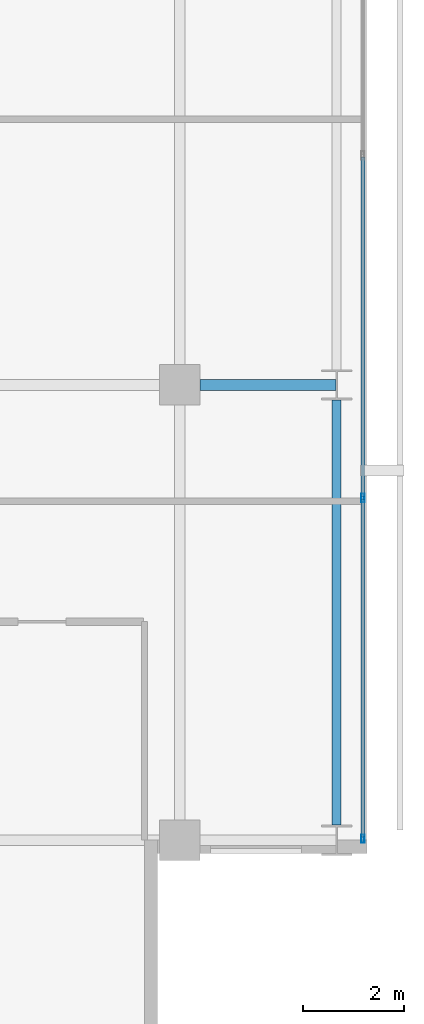
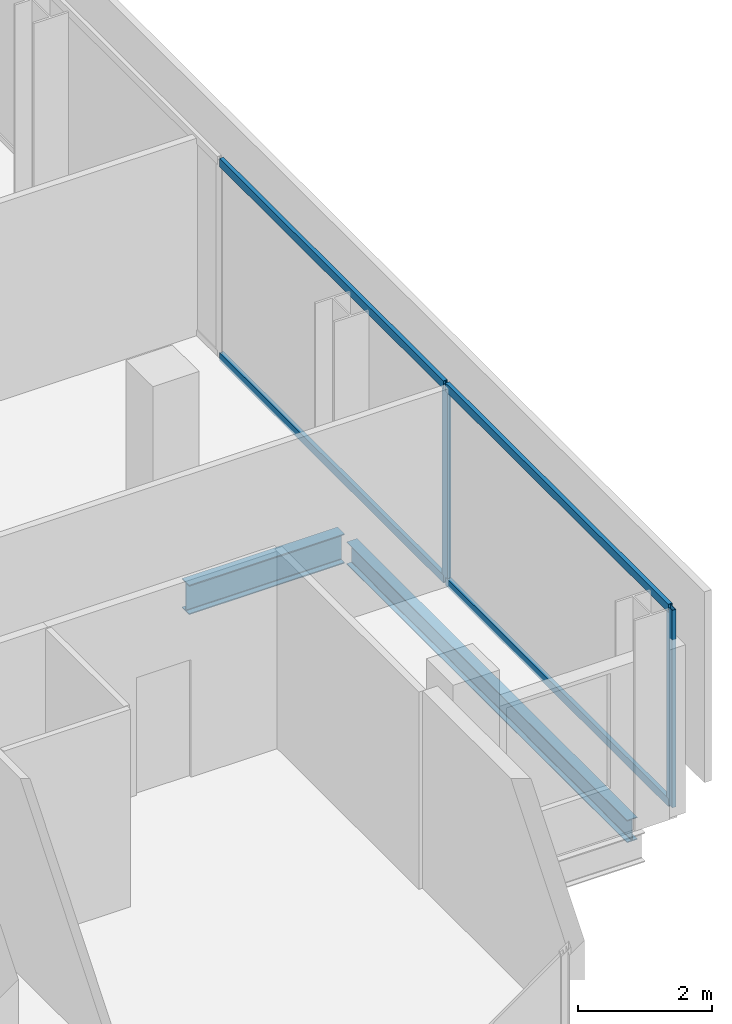
# One storey, part 15 of 33: 6 members, 2 beams, 1 element without a shape of its own.
"""IFC4 building model written with IfcOpenShell, lengths in metres."""

from ifc_helpers import new_model, si_unit, direction, frame, origin, origin_2d, place, context, subcontext, project, spatial, hollow_rectangle, i_section, extrude, material, layer, layer_set, material_profile, profile_set, type_object, element, aggregate, save


model = new_model("IFC4")

# Units and contexts
model_context = context("Model", 3, precision=1e-05, world=origin(), true_north=direction((0.0, 1.0)))
body_context = subcontext(model_context, "Body", "Model", "MODEL_VIEW")
ifc_project = project(units=[si_unit("LENGTHUNIT", "METRE"), si_unit("AREAUNIT", "SQUARE_METRE"), si_unit("VOLUMEUNIT", "CUBIC_METRE"), si_unit("PLANEANGLEUNIT", "RADIAN"), si_unit("MASSUNIT", "GRAM", prefix="KILO")], contexts=[model_context])

# Site, building, storey
site_placement = place(None, origin())
site = spatial("IfcSite", under=ifc_project, at=site_placement, CompositionType="ELEMENT")
building_placement = place(site_placement, origin())
building = spatial("IfcBuilding", under=site, at=building_placement, Name="Maruvema Waterfront Hotel and Observation Tower", CompositionType="ELEMENT")
storey_placement = place(building_placement, frame((0.0, 0.0, 204.39990234375)))
storey = spatial("IfcBuildingStorey", under=building, at=storey_placement, Name="L50", CompositionType="ELEMENT", Elevation=204.39990234375)

# Curtain wall, members
ifc_material_1 = material(Name="Anodised bronze aluminium and solar-control low-E IGU", Category="aluminium")
ifc_layer = layer(ifc_material_1, 0.159912109375, Name="Zone 2 Amber Inner Thermal Curtain Wall System CW-03")
ifc_layer_set = layer_set([ifc_layer], Name="Anodised bronze aluminium and solar-control low-E IGU")
curtain_wall_type = type_object("IfcCurtainWallType", Name="Zone 2 Amber Inner Thermal Curtain Wall System CW-03", PredefinedType="USERDEFINED", material=ifc_layer_set)
curtain_wall_placement = place(storey_placement, origin())
curtain_wall = element("IfcCurtainWall", 1, at=curtain_wall_placement, inside=storey, type_object=curtain_wall_type, Name="L50 Curtain Wall CW-L50-E", ObjectType="UNITISED CURTAIN WALL", PredefinedType="USERDEFINED")
ifc_material_2 = material(Name="Anodised architectural bronze aluminium", Category="aluminium")
ifc_material_profile_1 = material_profile(ifc_material_2, hollow_rectangle(XDim=0.070068359375, YDim=0.14990234375, WallThickness=0.00390625, at=origin_2d()), Name="ALU-T70x150")
ifc_profile_set_1 = profile_set([ifc_material_profile_1], Name="Anodised architectural bronze aluminium")
member_type_1 = type_object("IfcMemberType", Name="Curtain Wall Horizontal Transom ALU-T70x150", PredefinedType="USERDEFINED", material=ifc_profile_set_1)
member_1_placement = place(storey_placement, frame((62.419921875, 9.06005859375, 0.030029296875), z_axis=(0.0, 1.0, 0.0), x_axis=(-1.0, 0.0, 0.0)))
member_1 = element("IfcMember", 2, at=member_1_placement, type_object=member_type_1, Name="CW-03 transom 1.1", ObjectType="TRANSOM", PredefinedType="USERDEFINED", context=body_context, shape_type="SweptSolid", body=[
    extrude(hollow_rectangle(XDim=0.070068359375, YDim=0.14990234375, WallThickness=0.00390625, at=origin_2d()), origin(), (0.0, 0.0, 1.0), 6.676513671875),
])
member_2_placement = place(storey_placement, frame((62.419921875, 9.06005859375, 3.580078125), z_axis=(0.0, 1.0, 0.0), x_axis=(-1.0, 0.0, 0.0)))
member_2 = element("IfcMember", 3, at=member_2_placement, type_object=member_type_1, Name="CW-03 transom 1.2", ObjectType="TRANSOM", PredefinedType="USERDEFINED", context=body_context, shape_type="SweptSolid", body=[
    extrude(hollow_rectangle(XDim=0.070068359375, YDim=0.14990234375, WallThickness=0.00390625, at=origin_2d()), origin(), (0.0, 0.0, 1.0), 6.676513671875),
])
member_3_placement = place(storey_placement, frame((62.419921875, 15.796630859375, 0.030029296875), z_axis=(0.0, 1.0, 0.0), x_axis=(-1.0, 0.0, 0.0)))
member_3 = element("IfcMember", 4, at=member_3_placement, type_object=member_type_1, Name="CW-03 transom 2.1", ObjectType="TRANSOM", PredefinedType="USERDEFINED", context=body_context, shape_type="SweptSolid", body=[
    extrude(hollow_rectangle(XDim=0.070068359375, YDim=0.14990234375, WallThickness=0.00390625, at=origin_2d()), origin(), (0.0, 0.0, 1.0), 6.706787109375),
])
member_4_placement = place(storey_placement, frame((62.419921875, 15.796630859375, 3.580078125), z_axis=(0.0, 1.0, 0.0), x_axis=(-1.0, 0.0, 0.0)))
member_4 = element("IfcMember", 5, at=member_4_placement, type_object=member_type_1, Name="CW-03 transom 2.2", ObjectType="TRANSOM", PredefinedType="USERDEFINED", context=body_context, shape_type="SweptSolid", body=[
    extrude(hollow_rectangle(XDim=0.070068359375, YDim=0.14990234375, WallThickness=0.00390625, at=origin_2d()), origin(), (0.0, 0.0, 1.0), 6.706787109375),
])
ifc_material_3 = material(Name="Anodised architectural bronze aluminium", Category="aluminium")
ifc_material_profile_2 = material_profile(ifc_material_3, hollow_rectangle(XDim=0.06494140625, YDim=0.1650390625, WallThickness=0.00390625, at=origin_2d()), Name="ALU-M65x165")
ifc_profile_set_2 = profile_set([ifc_material_profile_2], Name="Anodised architectural bronze aluminium")
member_type_2 = type_object("IfcMemberType", Name="Curtain Wall Primary Mullion ALU-M65x165", PredefinedType="MULLION", material=ifc_profile_set_2)
member_5_placement = place(storey_placement, frame((62.419921875, 9.030029296875, 0.0), z_axis=(0.0, 0.0, 1.0), x_axis=(-1.0, 0.0, 0.0)))
member_5 = element("IfcMember", 6, at=member_5_placement, type_object=member_type_2, Name="CW-03 mullion 1", PredefinedType="MULLION", context=body_context, shape_type="SweptSolid", body=[
    extrude(hollow_rectangle(XDim=0.06494140625, YDim=0.1650390625, WallThickness=0.00390625, at=origin_2d()), origin(), (0.0, 0.0, 1.0), 3.610107421875),
])
member_6_placement = place(storey_placement, frame((62.419921875, 15.7666015625, 0.0), z_axis=(0.0, 0.0, 1.0), x_axis=(-1.0, 0.0, 0.0)))
member_6 = element("IfcMember", 7, at=member_6_placement, type_object=member_type_2, Name="CW-03 mullion 2", PredefinedType="MULLION", context=body_context, shape_type="SweptSolid", body=[
    extrude(hollow_rectangle(XDim=0.06494140625, YDim=0.1650390625, WallThickness=0.00390625, at=origin_2d()), origin(), (0.0, 0.0, 1.0), 3.610107421875),
])
aggregate(curtain_wall, [member_5, member_6, member_1, member_2, member_3, member_4])

# Beams
ifc_material_4 = material(Name="Steel ASTM A572 Grade 50", Category="steel")
ifc_material_profile_3 = material_profile(ifc_material_4, i_section(OverallWidth=0.178955078125, OverallDepth=0.409912109375, WebThickness=0.0087890625, FlangeThickness=0.014404296875, FilletRadius=0.014892578125, at=origin_2d()), Name="W410x67.0")
ifc_profile_set_3 = profile_set([ifc_material_profile_3], Name="Steel ASTM A572 Grade 50")
beam_type_1 = type_object("IfcBeamType", Name="Perimeter Spandrel Beam W410x67.0", PredefinedType="SPANDREL", material=ifc_profile_set_3)
beam_1_placement = place(storey_placement, frame((61.89990234375, 9.300048828125, -0.44482421875), z_axis=(0.0, 1.0, 0.0), x_axis=(-1.0, 0.0, 0.0)))
element("IfcBeam", 8, at=beam_1_placement, inside=storey, type_object=beam_type_1, Name="L50 Floor Girder NS-29", PredefinedType="SPANDREL", context=body_context, shape_type="SweptSolid", body=[
    extrude(i_section(OverallWidth=0.178955078125, OverallDepth=0.409912109375, WebThickness=0.0087890625, FlangeThickness=0.014404296875, FilletRadius=0.014892578125, at=origin_2d()), origin(), (0.0, 0.0, 1.0), 8.39990234375),
])
ifc_material_5 = material(Name="Steel ASTM A572 Grade 50", Category="steel")
ifc_material_profile_4 = material_profile(ifc_material_5, i_section(OverallWidth=0.2109375, OverallDepth=0.5390625, WebThickness=0.01171875, FlangeThickness=0.018798828125, FilletRadius=0.014892578125, at=origin_2d()), Name="W530x109.0")
ifc_profile_set_4 = profile_set([ifc_material_profile_4], Name="Steel ASTM A572 Grade 50")
beam_type_2 = type_object("IfcBeamType", Name="Primary Floor Girder W530x109.0", PredefinedType="BEAM", material=ifc_profile_set_4)
beam_2_placement = place(storey_placement, frame((59.199951171875, 18.0, -0.509521484375), z_axis=(1.0, 0.0, 0.0), x_axis=(0.0, 1.0, 0.0)))
element("IfcBeam", 9, at=beam_2_placement, inside=storey, type_object=beam_type_2, Name="L50 Floor Girder EW-17", PredefinedType="BEAM", context=body_context, shape_type="SweptSolid", body=[
    extrude(i_section(OverallWidth=0.2109375, OverallDepth=0.5390625, WebThickness=0.01171875, FlangeThickness=0.018798828125, FilletRadius=0.014892578125, at=origin_2d()), origin(), (0.0, 0.0, 1.0), 2.6875),
])

save(model, "model.ifc")
